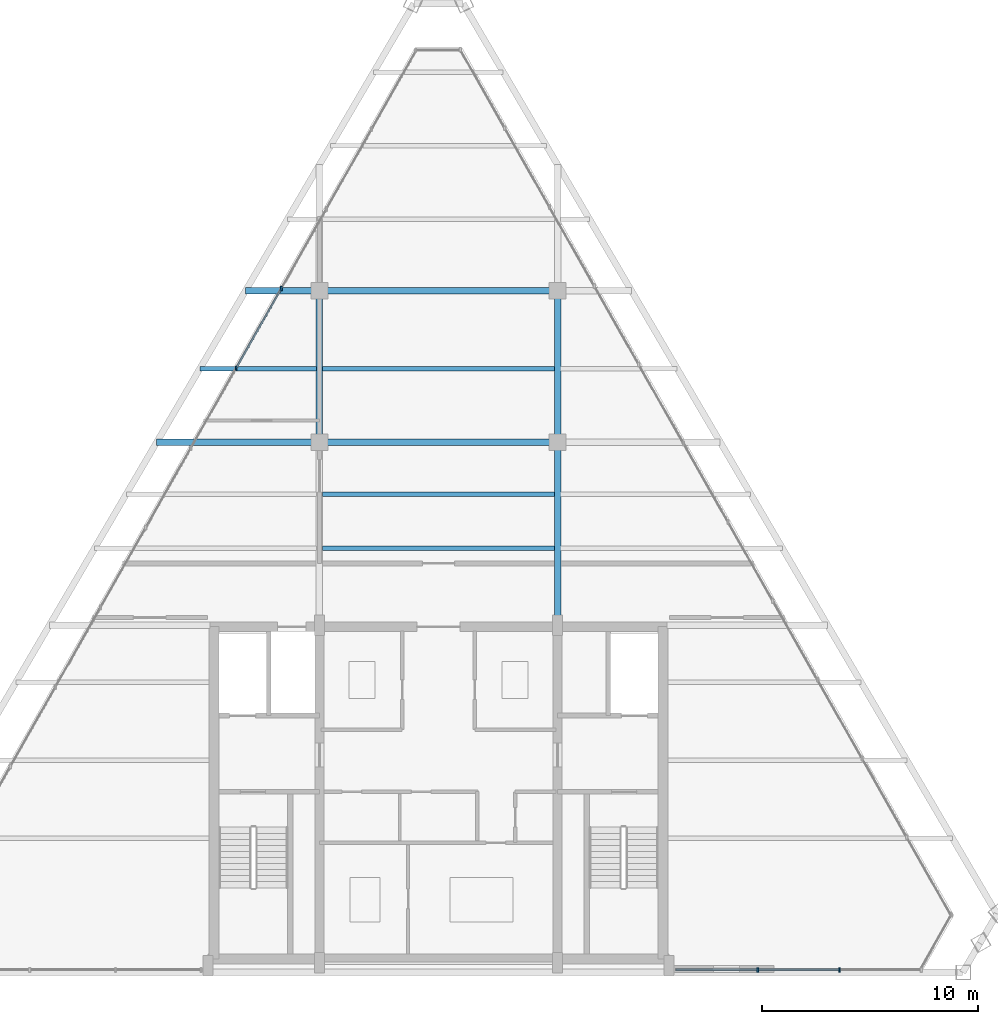
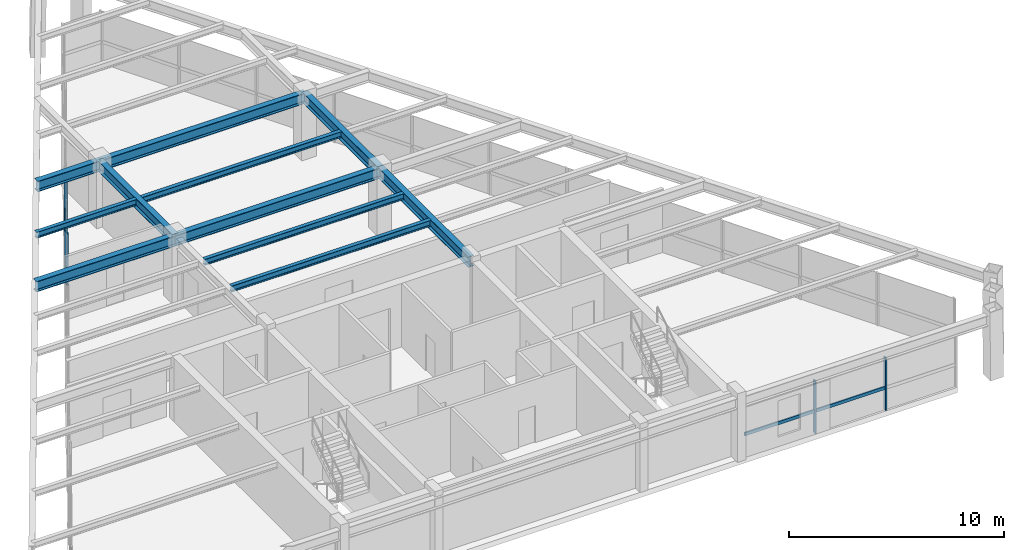
# One storey, part 5 of 12: 11 beams, 7 members, 2 elements without a shape of their own.
"""IFC4 building model written with IfcOpenShell, lengths in metres."""

import ifcopenshell
import ifcopenshell.guid

model = None  # the IFC model being written
_history = None  # IfcOwnerHistory: only IFC2X3 demands one
_inside = {}  # id of a spatial element -> (the spatial element, [elements in it])
_under = {}  # id of a project, library or spatial element -> (it, [spatial elements below it])
_declared = {}  # id of a project -> (the project, [libraries it declares])
_typed = {}  # id of a type object -> (the type object, [elements of that type])
_made_of = {}  # id of a material, layer set ... -> (it, [elements and type objects made of it])


def new_model(schema):
    """Start an empty IFC model of exactly this schema.

    Asked for "IFC4X3", IfcOpenShell would pick the latest addendum, in which some entities
    have other attributes; the version numbers below select the first issue.
    IFC2X3 requires an IfcOwnerHistory on every rooted entity: one is made here for all.
    """
    global model, _history
    if schema == "IFC4X3":
        model = ifcopenshell.file(schema_version=(4, 3, 0, 0))
    else:
        model = ifcopenshell.file(schema=schema)
    _inside.clear()
    _under.clear()
    _declared.clear()
    _typed.clear()
    _made_of.clear()
    _history = None
    if model.schema == "IFC2X3":
        org = make("IfcOrganization", Name="unknown")
        user = make(
            "IfcPersonAndOrganization",
            ThePerson=make("IfcPerson", FamilyName="unknown"),
            TheOrganization=org,
        )
        app = make(
            "IfcApplication",
            ApplicationDeveloper=org,
            Version="unknown",
            ApplicationFullName="unknown",
            ApplicationIdentifier="unknown",
        )
        _history = make(
            "IfcOwnerHistory",
            OwningUser=user,
            OwningApplication=app,
            ChangeAction="ADDED",
            CreationDate=0,
        )
    return model


def make(cls, **values):
    """One entity of the class cls with the attributes given. An attribute that is None is left unset."""
    return model.create_entity(
        cls, **{name: value for name, value in values.items() if value is not None}
    )


def rooted(cls, **values):
    """An entity with a GlobalId (a new one), such as an element, a storey or a relation."""
    return make(cls, GlobalId=ifcopenshell.guid.new(), OwnerHistory=_history, **values)


def si_unit(unit_type, name, prefix=None):
    """IfcSIUnit, for example si_unit("LENGTHUNIT", "METRE", prefix="MILLI")."""
    return make("IfcSIUnit", UnitType=unit_type, Prefix=prefix, Name=name)


def assignment(units):
    """IfcUnitAssignment: the units of a project."""
    return None if units is None else make("IfcUnitAssignment", Units=units)


def point(xyz):
    """IfcCartesianPoint."""
    return None if xyz is None else make("IfcCartesianPoint", Coordinates=xyz)


def direction(xyz):
    """IfcDirection."""
    return None if xyz is None else make("IfcDirection", DirectionRatios=xyz)


def frame(location, z_axis=None, x_axis=None):
    """IfcAxis2Placement3D, a coordinate frame: its origin and axes. An axis left out is left unset."""
    return make(
        "IfcAxis2Placement3D",
        Location=point(location),
        Axis=direction(z_axis),
        RefDirection=direction(x_axis),
    )


def frame_2d(location, x_axis=None):
    """IfcAxis2Placement2D, a coordinate frame in the plane: its origin and x axis."""
    return make(
        "IfcAxis2Placement2D", Location=point(location), RefDirection=direction(x_axis)
    )


def origin():
    """The frame at (0, 0, 0) with its axes left unset."""
    return frame((0.0, 0.0, 0.0))


def origin_2d():
    """The frame at (0, 0) in the plane with its x axis left unset."""
    return frame_2d((0.0, 0.0))


def place(relative_to, where):
    """IfcLocalPlacement: puts the frame where relative to a parent placement (None: the world)."""
    return make(
        "IfcLocalPlacement", PlacementRelTo=relative_to, RelativePlacement=where
    )


def context(
    kind, dimensions, precision=None, world=None, true_north=None, identifier=None
):
    """IfcGeometricRepresentationContext, for example the 3D "Model" context."""
    return make(
        "IfcGeometricRepresentationContext",
        ContextIdentifier=identifier,
        ContextType=kind,
        CoordinateSpaceDimension=dimensions,
        Precision=precision,
        WorldCoordinateSystem=world,
        TrueNorth=true_north,
    )


def subcontext(parent, identifier, kind, view, scale=None):
    """IfcGeometricRepresentationSubContext, for example "Body" below "Model"."""
    return make(
        "IfcGeometricRepresentationSubContext",
        ContextIdentifier=identifier,
        ContextType=kind,
        ParentContext=parent,
        TargetScale=scale,
        TargetView=view,
    )


def project(units=None, contexts=None):
    """IfcProject with its units and contexts."""
    return rooted(
        "IfcProject",
        Name="project",
        RepresentationContexts=contexts,
        UnitsInContext=assignment(units),
    )


def spatial(cls, under=None, at=None, **own):
    """A site, building, storey or space (cls), placed at a placement, below another one or the project."""
    s = rooted(cls, ObjectPlacement=at, **own)
    if under is not None:
        _under.setdefault(under.id(), (under, []))[1].append(s)
    return s


def profile(cls, at=None, kind="AREA", **sizes):
    """A parametric profile (cls). Its sizes go by their IFC names, for example OverallWidth=200.0."""
    return make(cls, ProfileType=kind, Position=at, **sizes)


def rectangle(**sizes):
    """IfcRectangleProfileDef."""
    return profile("IfcRectangleProfileDef", **sizes)


def i_section(**sizes):
    """IfcIShapeProfileDef."""
    return profile("IfcIShapeProfileDef", **sizes)


def extrude(swept, where, along, depth):
    """IfcExtrudedAreaSolid: the profile swept, set in the frame where, extruded along a direction by depth."""
    return make(
        "IfcExtrudedAreaSolid",
        SweptArea=swept,
        Position=where,
        ExtrudedDirection=direction(along),
        Depth=depth,
    )


def shape(context_of_items, identifier, shape_type, items):
    """IfcShapeRepresentation: the items that make up one representation, for example the "Body"."""
    return make(
        "IfcShapeRepresentation",
        ContextOfItems=context_of_items,
        RepresentationIdentifier=identifier,
        RepresentationType=shape_type,
        Items=items,
    )


def source(mapping_origin, context_of_items, identifier, shape_type, items):
    """IfcRepresentationMap: a shape defined once, which mapped items show again and again."""
    return make(
        "IfcRepresentationMap",
        MappingOrigin=mapping_origin,
        MappedRepresentation=shape(context_of_items, identifier, shape_type, items),
    )


def transform(
    local_origin,
    x_axis=None,
    y_axis=None,
    z_axis=None,
    scale=None,
    scale2=None,
    scale3=None,
    uniform=True,
):
    """IfcCartesianTransformationOperator3D, or its non-uniform kind. x_axis, y_axis, z_axis: its Axis1, 2, 3."""
    if uniform:
        return make(
            "IfcCartesianTransformationOperator3D",
            Axis1=direction(x_axis),
            Axis2=direction(y_axis),
            LocalOrigin=point(local_origin),
            Scale=scale,
            Axis3=direction(z_axis),
        )
    return make(
        "IfcCartesianTransformationOperator3DnonUniform",
        Axis1=direction(x_axis),
        Axis2=direction(y_axis),
        LocalOrigin=point(local_origin),
        Scale=scale,
        Axis3=direction(z_axis),
        Scale2=scale2,
        Scale3=scale3,
    )


def mapped(mapping_source, mapping_target):
    """IfcMappedItem: shows the shape of a source again, moved by a transform."""
    return make(
        "IfcMappedItem", MappingSource=mapping_source, MappingTarget=mapping_target
    )


def material(Name=None, Category=None):
    """IfcMaterial."""
    return make("IfcMaterial", Name=Name, Category=Category)


def material_profile(
    of_material, cross_section, Name=None, Category=None, Priority=None
):
    """IfcMaterialProfile: a cross section and its material."""
    return make(
        "IfcMaterialProfile",
        Name=Name,
        Material=of_material,
        Profile=cross_section,
        Priority=Priority,
        Category=Category,
    )


def profile_set(profiles, Name=None, composite=None):
    """IfcMaterialProfileSet."""
    return make(
        "IfcMaterialProfileSet",
        Name=Name,
        MaterialProfiles=profiles,
        CompositeProfile=composite,
    )


def made_of(thing, what):
    """Note that an element or type object is made of a material, layer set ...; save() writes the relation."""
    if what is not None:
        _made_of.setdefault(what.id(), (what, []))[1].append(thing)
    return thing


def type_object(cls, material=None, **own):
    """A type object (cls), such as IfcWallType, which elements share."""
    return made_of(rooted(cls, **own), material)


def type_shapes(of_type, sources):
    """Give a type object the sources (RepresentationMaps) that its elements show as mapped items."""
    of_type.RepresentationMaps = sources


def element(
    cls,
    number,
    at=None,
    inside=None,
    cuts=None,
    type_object=None,
    material=None,
    context=None,
    identifier="Body",
    shape_type=None,
    held_by="IfcProductDefinitionShape",
    body=None,
    shapes=None,
    **own,
):
    """One element of the class cls, such as IfcWall. Its Tag is "e" and its number.

    at: its placement. inside: the storey or other place that contains it. cuts: it is an
    opening in that element (IfcRelVoidsElement). A single representation is given by context,
    identifier, shape_type and body (its items); several are given by shapes. held_by: the class
    of the entity that holds the representations. save() writes the other relations.
    """
    e = rooted(cls, Tag="e%d" % number, ObjectPlacement=at, **own)
    if body is not None:
        shapes = [shape(context, identifier, shape_type, body)]
    if shapes is not None:
        e.Representation = make(held_by, Representations=shapes)
    if inside is not None:
        _inside.setdefault(inside.id(), (inside, []))[1].append(e)
    if cuts is not None:
        rooted(
            "IfcRelVoidsElement", RelatingBuildingElement=cuts, RelatedOpeningElement=e
        )
    if type_object is not None:
        _typed.setdefault(type_object.id(), (type_object, []))[1].append(e)
    return made_of(e, material)


def aggregate(whole, parts):
    """IfcRelAggregates: a whole, such as a stair, and the parts it consists of."""
    return rooted("IfcRelAggregates", RelatingObject=whole, RelatedObjects=parts)


def save(model, path):
    """Write the relations noted so far, then the file.

    IfcRelAggregates (storeys below a building ...), IfcRelContainedInSpatialStructure (elements
    in a storey), IfcRelDefinesByType, IfcRelAssociatesMaterial and IfcRelDeclares: one each for
    every whole, place, type object, material and project.
    """
    for whole, parts in _under.values():
        aggregate(whole, parts)
    for where, things in _inside.values():
        rooted(
            "IfcRelContainedInSpatialStructure",
            RelatedElements=things,
            RelatingStructure=where,
        )
    for kind, things in _typed.values():
        rooted("IfcRelDefinesByType", RelatedObjects=things, RelatingType=kind)
    for what, things in _made_of.values():
        rooted("IfcRelAssociatesMaterial", RelatedObjects=things, RelatingMaterial=what)
    for by, libraries in _declared.values():
        rooted("IfcRelDeclares", RelatingContext=by, RelatedDefinitions=libraries)
    model.write(path)


model = new_model("IFC4")

# Units and contexts
model_context = context("Model", 3, precision=1e-05, world=origin(), true_north=direction((0.0, 1.0)))
body_context = subcontext(model_context, "Body", "Model", "MODEL_VIEW")
ifc_project = project(units=[si_unit("LENGTHUNIT", "METRE"), si_unit("AREAUNIT", "SQUARE_METRE"), si_unit("VOLUMEUNIT", "CUBIC_METRE"), si_unit("PLANEANGLEUNIT", "RADIAN"), si_unit("MASSUNIT", "GRAM", prefix="KILO")], contexts=[model_context])

# Site, building, storey
site_placement = place(None, origin())
site = spatial("IfcSite", under=ifc_project, at=site_placement, CompositionType="ELEMENT")
building_placement = place(site_placement, origin())
building = spatial("IfcBuilding", under=site, at=building_placement, Name="Varnakhor Terracotta Tower", CompositionType="ELEMENT")
storey_placement = place(building_placement, frame((0.0, 0.0, 313.60009765625)))
storey = spatial("IfcBuildingStorey", under=building, at=storey_placement, Name="L82 Crown", CompositionType="ELEMENT", Elevation=313.60009765625)

# Beams
ifc_material_1 = material(Name="Steel S355", Category="steel")
ifc_material_profile_1 = material_profile(ifc_material_1, i_section(OverallWidth=0.300048828125, OverallDepth=0.60009765625, WebThickness=0.015380859375, FlangeThickness=0.030029296875, FilletRadius=0.01806640625, at=origin_2d()), Name="HEB600")
ifc_profile_set_1 = profile_set([ifc_material_profile_1], Name="Steel S355")
beam_type_1 = type_object("IfcBeamType", Name="BM-HEB600", PredefinedType="BEAM", material=ifc_profile_set_1)
shared_shape_1 = source(origin(), body_context, "Body", "SweptSolid", [
    extrude(i_section(OverallWidth=0.300048828125, OverallDepth=0.60009765625, WebThickness=0.015380859375, FlangeThickness=0.030029296875, FilletRadius=0.01806640625, at=origin_2d()), origin(), (0.0, 0.0, 1.0), 8.449951171875),
])
beam_1_placement = place(storey_placement, frame((5.5, 16.050048828125, 3.2998046875), z_axis=(0.0, 1.0, 0.0), x_axis=(-1.0, 0.0, 0.0)))
element("IfcBeam", 1, at=beam_1_placement, inside=storey, type_object=beam_type_1, Name="L82 Crown Primary Girder NS1-E", PredefinedType="BEAM", context=body_context, shape_type="MappedRepresentation", body=[
    mapped(shared_shape_1, transform((0.0, 0.0, 0.0), scale=1.0)),
])
shared_shape_2 = source(origin(), body_context, "Body", "SweptSolid", [
    extrude(i_section(OverallWidth=0.300048828125, OverallDepth=0.60009765625, WebThickness=0.015380859375, FlangeThickness=0.030029296875, FilletRadius=0.01806640625, at=origin_2d()), origin(), (0.0, 0.0, 1.0), 7.0),
])
for number, where, z_axis, x_axis, name in (
    (2, (-5.5, 24.5, 3.2998046875), (0.0, 1.0, 0.0), (-1.0, 0.0, 0.0), "L82 Crown Primary Girder NS2-W"),
    (3, (5.5, 24.5, 3.2998046875), (0.0, 1.0, 0.0), (-1.0, 0.0, 0.0), "L82 Crown Primary Girder NS2-E"),
):
    element("IfcBeam", number, at=place(storey_placement, frame(where, z_axis=z_axis, x_axis=x_axis)), inside=storey, type_object=beam_type_1, Name=name, PredefinedType="BEAM", context=body_context, shape_type="MappedRepresentation", body=[
        mapped(shared_shape_2, transform((0.0, 0.0, 0.0), scale=1.0)),
    ])
shared_shape_3 = source(origin(), body_context, "Body", "SweptSolid", [
    extrude(i_section(OverallWidth=0.300048828125, OverallDepth=0.60009765625, WebThickness=0.015380859375, FlangeThickness=0.030029296875, FilletRadius=0.01806640625, at=origin_2d()), origin(), (0.0, 0.0, 1.0), 11.0),
])
for number, where, z_axis, x_axis, name in (
    (4, (-5.5, 24.5, 3.2998046875), (1.0, 0.0, 0.0), (0.0, 1.0, 0.0), "L82 Crown Primary Girder EW2-2"),
    (5, (-5.5, 31.5, 3.2998046875), (1.0, 0.0, 0.0), (0.0, 1.0, 0.0), "L82 Crown Primary Girder EW3-2"),
):
    element("IfcBeam", number, at=place(storey_placement, frame(where, z_axis=z_axis, x_axis=x_axis)), inside=storey, type_object=beam_type_1, Name=name, PredefinedType="BEAM", context=body_context, shape_type="MappedRepresentation", body=[
        mapped(shared_shape_3, transform((0.0, 0.0, 0.0), scale=1.0)),
    ])
ifc_material_profile_2 = material_profile(ifc_material_1, i_section(OverallWidth=0.202880859375, OverallDepth=0.346923828125, WebThickness=0.0078125, FlangeThickness=0.013427734375, FilletRadius=0.01806640625, at=origin_2d()), Name="W14X43")
ifc_profile_set_2 = profile_set([ifc_material_profile_2], Name="Steel S355")
beam_type_2 = type_object("IfcBeamType", Name="JST-W14X43", PredefinedType="JOIST", material=ifc_profile_set_2)
shared_shape_4 = source(origin(), body_context, "Body", "SweptSolid", [
    extrude(i_section(OverallWidth=0.202880859375, OverallDepth=0.346923828125, WebThickness=0.0078125, FlangeThickness=0.013427734375, FilletRadius=0.01806640625, at=origin_2d()), origin(), (0.0, 0.0, 1.0), 10.7080078125),
])
for number, where, z_axis, x_axis, name in (
    (6, (-5.35400390625, 19.60009765625, 3.426513671875), (1.0, 0.0, 0.0), (0.0, 1.0, 0.0), "L82 Crown Composite Floor Joist 4-2"),
    (7, (-5.35400390625, 22.10009765625, 3.426513671875), (1.0, 0.0, 0.0), (0.0, 1.0, 0.0), "L82 Crown Composite Floor Joist 5-2"),
    (8, (-5.35400390625, 27.89990234375, 3.426513671875), (1.0, 0.0, 0.0), (0.0, 1.0, 0.0), "L82 Crown Composite Floor Joist 6-2"),
):
    element("IfcBeam", number, at=place(storey_placement, frame(where, z_axis=z_axis, x_axis=x_axis)), inside=storey, type_object=beam_type_2, Name=name, PredefinedType="JOIST", context=body_context, shape_type="MappedRepresentation", body=[
        mapped(shared_shape_4, transform((0.0, 0.0, 0.0), scale=1.0)),
    ])
shared_shape_5 = source(origin(), body_context, "Body", "SweptSolid", [
    extrude(i_section(OverallWidth=0.300048828125, OverallDepth=0.60009765625, WebThickness=0.015380859375, FlangeThickness=0.030029296875, FilletRadius=0.01806640625, at=origin_2d()), origin(), (0.0, 0.0, 1.0), 7.518798828125),
])
beam_2_placement = place(storey_placement, frame((-13.018798828125, 24.5, 3.2998046875), z_axis=(1.0, 0.0, 0.0), x_axis=(0.0, 1.0, 0.0)))
element("IfcBeam", 9, at=beam_2_placement, inside=storey, type_object=beam_type_1, Name="L82 Crown Primary Girder EW2-1", PredefinedType="BEAM", context=body_context, shape_type="MappedRepresentation", body=[
    mapped(shared_shape_5, transform((0.0, 0.0, 0.0), scale=1.0)),
])
shared_shape_6 = source(origin(), body_context, "Body", "SweptSolid", [
    extrude(i_section(OverallWidth=0.300048828125, OverallDepth=0.60009765625, WebThickness=0.015380859375, FlangeThickness=0.030029296875, FilletRadius=0.01806640625, at=origin_2d()), origin(), (0.0, 0.0, 1.0), 3.414306640625),
])
beam_3_placement = place(storey_placement, frame((-8.914306640625, 31.5, 3.2998046875), z_axis=(1.0, 0.0, 0.0), x_axis=(0.0, 1.0, 0.0)))
element("IfcBeam", 10, at=beam_3_placement, inside=storey, type_object=beam_type_1, Name="L82 Crown Primary Girder EW3-1", PredefinedType="BEAM", context=body_context, shape_type="MappedRepresentation", body=[
    mapped(shared_shape_6, transform((0.0, 0.0, 0.0), scale=1.0)),
])
shared_shape_7 = source(origin(), body_context, "Body", "SweptSolid", [
    extrude(i_section(OverallWidth=0.202880859375, OverallDepth=0.346923828125, WebThickness=0.0078125, FlangeThickness=0.013427734375, FilletRadius=0.01806640625, at=origin_2d()), origin(), (0.0, 0.0, 1.0), 5.379150390625),
])
beam_4_placement = place(storey_placement, frame((-11.025146484375, 27.89990234375, 3.426513671875), z_axis=(1.0, 0.0, 0.0), x_axis=(0.0, 1.0, 0.0)))
element("IfcBeam", 11, at=beam_4_placement, inside=storey, type_object=beam_type_2, Name="L82 Crown Composite Floor Joist 6-1", PredefinedType="JOIST", context=body_context, shape_type="MappedRepresentation", body=[
    mapped(shared_shape_7, transform((0.0, 0.0, 0.0), scale=1.0)),
])

# Curtain wall, members
ifc_material_2 = material(Name="Anodised Aluminium Curtain Wall System", Category="aluminium")
curtain_wall_type = type_object("IfcCurtainWallType", Name="CW-SYS-CROWN", PredefinedType="NOTDEFINED", material=ifc_material_2)
curtain_wall_1_placement = place(storey_placement, origin())
curtain_wall_1 = element("IfcCurtainWall", 12, at=curtain_wall_1_placement, inside=storey, type_object=curtain_wall_type, Name="L82 Crown Facet Curtain Wall 1", PredefinedType="NOTDEFINED")
ifc_material_3 = material(Name="Anodised Aluminium 6063-T6", Category="aluminium")
ifc_material_profile_3 = material_profile(ifc_material_3, rectangle(XDim=0.080078125, YDim=0.205078125, at=origin_2d()), Name="ALU MULLION 80x205")
ifc_profile_set_3 = profile_set([ifc_material_profile_3], Name="Anodised Aluminium 6063-T6")
member_type_1 = type_object("IfcMemberType", Name="CWM-06", PredefinedType="MULLION", material=ifc_profile_set_3)
shared_shape_8 = source(origin(), body_context, "Body", "SweptSolid", [
    extrude(rectangle(XDim=0.080078125, YDim=0.205078125, at=origin_2d()), origin(), (0.0, 0.0, 1.0), 2.97998046875),
])
type_shapes(member_type_1, [shared_shape_8])
member_1_placement = place(storey_placement, frame((-9.351318359375, 27.9169921875, 0.0), z_axis=(0.0, 0.0, 1.0), x_axis=(1.0, 0.0, 0.0)))
member_1 = element("IfcMember", 13, at=member_1_placement, type_object=member_type_1, Name="L82 Crown Facet Curtain Wall 1 Mullion 8", PredefinedType="MULLION", context=body_context, shape_type="MappedRepresentation", body=[
    mapped(shared_shape_8, transform((0.0, 0.0, 0.0), scale=1.0)),
])
member_2_placement = place(storey_placement, frame((-7.263916015625, 31.59912109375, 0.0), z_axis=(0.0, 0.0, 1.0), x_axis=(1.0, 0.0, 0.0)))
member_2 = element("IfcMember", 14, at=member_2_placement, type_object=member_type_1, Name="L82 Crown Facet Curtain Wall 1 Mullion 9", PredefinedType="MULLION", context=body_context, shape_type="MappedRepresentation", body=[
    mapped(shared_shape_8, transform((0.0, 0.0, 0.0), scale=1.0)),
])

curtain_wall_2_placement = place(storey_placement, origin())
curtain_wall_2 = element("IfcCurtainWall", 15, at=curtain_wall_2_placement, inside=storey, type_object=curtain_wall_type, Name="L82 Crown South Wing Curtain Wall SSE", PredefinedType="NOTDEFINED")
member_3_placement = place(storey_placement, frame((18.53076171875, 0.1201171875, 0.0), z_axis=(0.0, 0.0, 1.0), x_axis=(1.0, 0.0, 0.0)))
member_3 = element("IfcMember", 16, at=member_3_placement, type_object=member_type_1, Name="L82 Crown South Wing Curtain Wall SSE Mullion 2", PredefinedType="MULLION", context=body_context, shape_type="MappedRepresentation", body=[
    mapped(shared_shape_8, transform((0.0, 0.0, 0.0), scale=1.0)),
])
member_4_placement = place(storey_placement, frame((14.75048828125, 0.1201171875, 0.0), z_axis=(0.0, 0.0, 1.0), x_axis=(1.0, 0.0, 0.0)))
member_4 = element("IfcMember", 17, at=member_4_placement, type_object=member_type_1, Name="L82 Crown South Wing Curtain Wall SSE Mullion 3", PredefinedType="MULLION", context=body_context, shape_type="MappedRepresentation", body=[
    mapped(shared_shape_8, transform((0.0, 0.0, 0.0), scale=1.0)),
])

# Member
ifc_material_profile_4 = material_profile(ifc_material_3, rectangle(XDim=0.080078125, YDim=0.179931640625, at=origin_2d()), Name="ALU TRANSOM 80x180")
ifc_profile_set_4 = profile_set([ifc_material_profile_4], Name="Anodised Aluminium 6063-T6")
member_type_2 = type_object("IfcMemberType", Name="CWT-06", PredefinedType="USERDEFINED", material=ifc_profile_set_4)
shared_shape_9 = source(origin(), body_context, "Body", "SweptSolid", [
    extrude(rectangle(XDim=0.080078125, YDim=0.179931640625, at=origin_2d()), origin(), (0.0, 0.0, 1.0), 4.232666015625),
])
member_5_placement = place(storey_placement, frame((-9.351318359375, 27.9169921875, 1.25146484375), z_axis=(0.493166831222, 0.86993475421, 0.0), x_axis=(-0.86993475421, 0.493166831222, 0.0)))
member_5 = element("IfcMember", 18, at=member_5_placement, type_object=member_type_2, Name="L82 Crown Facet Curtain Wall 1 Transom 8", ObjectType="TRANSOM", PredefinedType="USERDEFINED", context=body_context, shape_type="MappedRepresentation", body=[
    mapped(shared_shape_9, transform((0.0, 0.0, 0.0), scale=1.0)),
])

aggregate(curtain_wall_1, [member_1, member_5, member_2])

shared_shape_10 = source(origin(), body_context, "Body", "SweptSolid", [
    extrude(rectangle(XDim=0.080078125, YDim=0.179931640625, at=origin_2d()), origin(), (0.0, 0.0, 1.0), 3.7802734375),
])
member_6_placement = place(storey_placement, frame((18.53076171875, 0.1201171875, 1.25146484375), z_axis=(-1.0, 0.0, 0.0), x_axis=(0.0, -1.0, 0.0)))
member_6 = element("IfcMember", 19, at=member_6_placement, type_object=member_type_2, Name="L82 Crown South Wing Curtain Wall SSE Transom 2", ObjectType="TRANSOM", PredefinedType="USERDEFINED", context=body_context, shape_type="MappedRepresentation", body=[
    mapped(shared_shape_10, transform((0.0, 0.0, 0.0), scale=1.0)),
])

shared_shape_11 = source(origin(), body_context, "Body", "SweptSolid", [
    extrude(rectangle(XDim=0.080078125, YDim=0.179931640625, at=origin_2d()), origin(), (0.0, 0.0, 1.0), 3.780517578125),
])
member_7_placement = place(storey_placement, frame((14.75048828125, 0.1201171875, 1.25146484375), z_axis=(-1.0, 0.0, 0.0), x_axis=(0.0, -1.0, 0.0)))
member_7 = element("IfcMember", 20, at=member_7_placement, type_object=member_type_2, Name="L82 Crown South Wing Curtain Wall SSE Transom 3", ObjectType="TRANSOM", PredefinedType="USERDEFINED", context=body_context, shape_type="MappedRepresentation", body=[
    mapped(shared_shape_11, transform((0.0, 0.0, 0.0), scale=1.0)),
])

aggregate(curtain_wall_2, [member_3, member_6, member_4, member_7])

save(model, "model.ifc")
